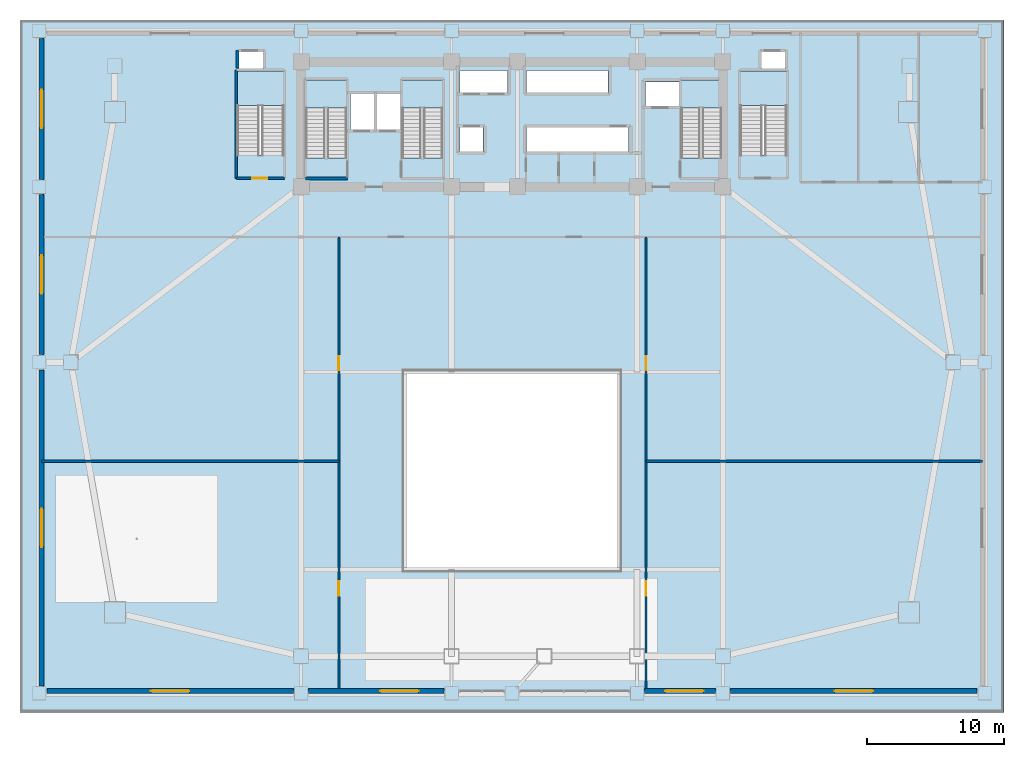
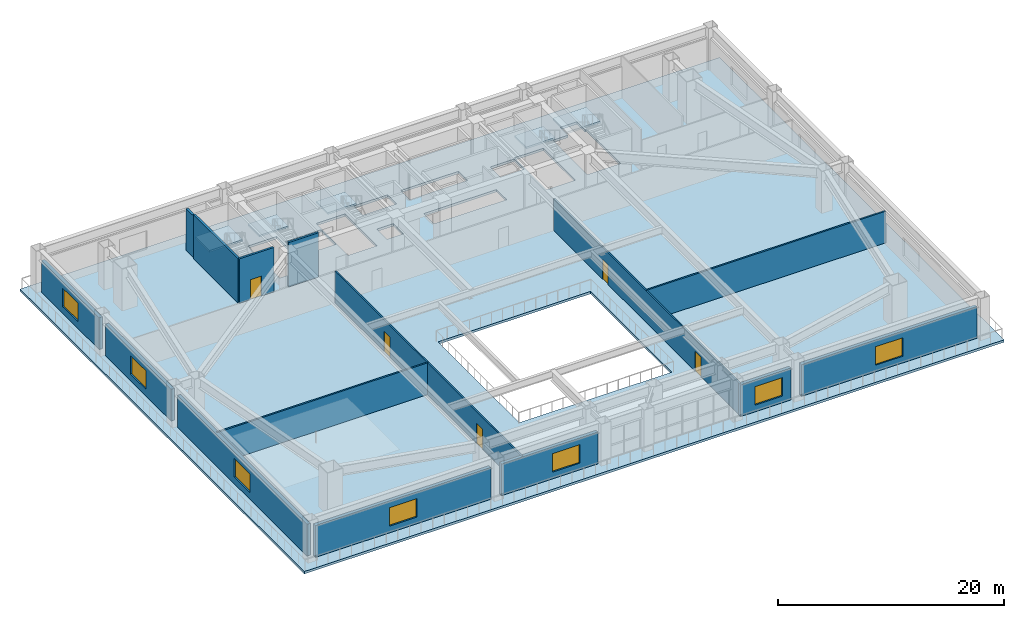
# One storey, part 6 of 14: 15 walls, 7 windows, 6 slabs, 5 doors, 12 openings, 5 elements without a shape of their own.
"""IFC4 building model written with IfcOpenShell, lengths in metres."""

from ifc_helpers import new_model, si_unit, direction, frame, frame_2d, origin, place, context, subcontext, project, spatial, polyline, rectangle, outline, extrude, source, transform, mapped, material, layer, layer_set, type_object, element, fill, aggregate, save


model = new_model("IFC4")

# Units and contexts
model_context = context("Model", 3, precision=1e-05, world=origin(), true_north=direction((0.0, 1.0)))
body_context = subcontext(model_context, "Body", "Model", "MODEL_VIEW")
ifc_project = project(units=[si_unit("LENGTHUNIT", "METRE"), si_unit("AREAUNIT", "SQUARE_METRE"), si_unit("VOLUMEUNIT", "CUBIC_METRE"), si_unit("PLANEANGLEUNIT", "RADIAN"), si_unit("MASSUNIT", "GRAM", prefix="KILO")], contexts=[model_context])

# Site, building, storey
site_placement = place(None, origin())
site = spatial("IfcSite", under=ifc_project, at=site_placement, CompositionType="ELEMENT")
building_placement = place(site_placement, origin())
building = spatial("IfcBuilding", under=site, at=building_placement, Name="Giltprow Tower", CompositionType="ELEMENT")
storey_placement = place(building_placement, frame((0.0, 0.0, 5.60009765625)))
storey = spatial("IfcBuildingStorey", under=building, at=storey_placement, Name="L02", CompositionType="ELEMENT", Elevation=5.60009765625)

# Slab
ifc_material_1 = material(Name="Concrete C40", Category="concrete")
ifc_layer_1 = layer(ifc_material_1, 0.260009765625, Name="Concrete C40")
ifc_layer_set_1 = layer_set([ifc_layer_1], Name="Concrete C40")
slab_type_1 = type_object("IfcSlabType", Name="SLB-POD-260", PredefinedType="FLOOR", material=ifc_layer_set_1)
slab_1_placement = place(storey_placement, frame((0.0, 0.0, -0.260009765625)))
element("IfcSlab", 1, at=slab_1_placement, inside=storey, type_object=slab_type_1, Name="L02 Structural Composite Floor Slab", PredefinedType="FLOOR", context=body_context, shape_type="SweptSolid", body=[
    extrude(outline(polyline([(-0.60009765625, 49.60009765625), (71.0, 49.60009765625), (71.0, -0.800048828125), (-0.60009765625, -0.800048828125), (-0.60009765625, 49.60009765625)]), holes=[polyline([(31.419921875, 41.800048828125), (31.419921875, 40.0), (33.10009765625, 40.0), (33.10009765625, 41.800048828125), (31.419921875, 41.800048828125)]), polyline([(23.159912109375, 39.570068359375), (23.159912109375, 45.25), (20.199951171875, 45.25), (20.199951171875, 39.570068359375), (23.159912109375, 39.570068359375)]), polyline([(30.159912109375, 39.570068359375), (30.159912109375, 45.25), (27.199951171875, 45.25), (27.199951171875, 39.570068359375), (30.159912109375, 39.570068359375)]), polyline([(18.60009765625, 39.77001953125), (18.60009765625, 45.89990234375), (17.070068359375, 45.89990234375), (17.070068359375, 47.300048828125), (15.35009765625, 47.300048828125), (15.35009765625, 45.89990234375), (15.199951171875, 45.89990234375), (15.199951171875, 39.77001953125), (18.60009765625, 39.77001953125)]), polyline([(25.169921875, 41.60009765625), (25.169921875, 44.199951171875), (23.449951171875, 44.199951171875), (23.449951171875, 41.60009765625), (25.169921875, 41.60009765625)]), polyline([(27.10009765625, 41.60009765625), (27.10009765625, 44.199951171875), (25.35009765625, 44.199951171875), (25.35009765625, 41.60009765625), (27.10009765625, 41.60009765625)]), polyline([(34.8798828125, 44.300048828125), (34.8798828125, 45.919921875), (31.419921875, 45.919921875), (31.419921875, 44.300048828125), (34.8798828125, 44.300048828125)]), polyline([(43.0, 9.60009765625), (43.0, 24.0), (27.39990234375, 24.0), (27.39990234375, 9.60009765625), (43.0, 9.60009765625)]), polyline([(43.659912109375, 40.0), (43.659912109375, 41.800048828125), (36.239990234375, 41.800048828125), (36.239990234375, 40.0), (43.659912109375, 40.0)]), polyline([(50.4599609375, 39.570068359375), (50.4599609375, 45.25), (47.5, 45.25), (47.5, 39.570068359375), (50.4599609375, 39.570068359375)]), polyline([(53.35009765625, 47.300048828125), (53.35009765625, 45.89990234375), (51.800048828125, 45.89990234375), (51.800048828125, 39.77001953125), (55.199951171875, 39.77001953125), (55.199951171875, 45.89990234375), (55.070068359375, 45.89990234375), (55.070068359375, 47.300048828125), (53.35009765625, 47.300048828125)]), polyline([(47.3798828125, 43.300048828125), (47.3798828125, 45.10009765625), (44.919921875, 45.10009765625), (44.919921875, 43.300048828125), (47.3798828125, 43.300048828125)]), polyline([(42.169921875, 44.300048828125), (42.169921875, 45.919921875), (36.239990234375, 45.919921875), (36.239990234375, 44.300048828125), (42.169921875, 44.300048828125)])]), origin(), (0.0, 0.0, 1.0), 0.260009765625),
])

# Stair, slab
stair_type_1 = type_object("IfcStairType", Name="STR-ST-1", PredefinedType="HALF_TURN_STAIR", material=ifc_material_1)
stair_1_placement = place(storey_placement, origin())
stair_1 = element("IfcStair", 2, at=stair_1_placement, inside=storey, type_object=stair_type_1, Name="L02 Core Exit Stair ST-1", PredefinedType="HALF_TURN_STAIR")
ifc_layer_2 = layer(ifc_material_1, 0.179931640625, Name="Concrete C40")
ifc_layer_set_2 = layer_set([ifc_layer_2], Name="Concrete C40")
slab_type_2 = type_object("IfcSlabType", Name="SLD-ST-1", PredefinedType="LANDING", material=ifc_layer_set_2)
slab_2_placement = place(storey_placement, frame((0.0, 0.0, 2.219970703125)))
slab_2 = element("IfcSlab", 3, at=slab_2_placement, type_object=slab_type_2, Name="ST-1 landing 1", PredefinedType="LANDING", context=body_context, shape_type="SweptSolid", body=[
    extrude(outline(polyline([(23.159912109375, 43.18994140625), (23.159912109375, 45.25), (20.199951171875, 45.25), (20.199951171875, 43.18994140625), (23.159912109375, 43.18994140625)])), origin(), (0.0, 0.0, 1.0), 0.179931640625),
])
aggregate(stair_1, [slab_2])

stair_type_2 = type_object("IfcStairType", Name="STR-ST-2", PredefinedType="HALF_TURN_STAIR", material=ifc_material_1)
stair_2_placement = place(storey_placement, origin())
stair_2 = element("IfcStair", 4, at=stair_2_placement, inside=storey, type_object=stair_type_2, Name="L02 Core Exit Stair ST-2", PredefinedType="HALF_TURN_STAIR")
ifc_layer_3 = layer(ifc_material_1, 0.18798828125, Name="Concrete C40")
ifc_layer_set_3 = layer_set([ifc_layer_3], Name="Concrete C40")
slab_type_3 = type_object("IfcSlabType", Name="SLD-ST-2", PredefinedType="LANDING", material=ifc_layer_set_3)
slab_3_placement = place(storey_placement, frame((0.0, 0.0, 2.2119140625)))
slab_3 = element("IfcSlab", 5, at=slab_3_placement, type_object=slab_type_3, Name="ST-2 landing 1", PredefinedType="LANDING", context=body_context, shape_type="SweptSolid", body=[
    extrude(outline(polyline([(30.159912109375, 43.18994140625), (30.159912109375, 45.25), (27.199951171875, 45.25), (27.199951171875, 43.18994140625), (30.159912109375, 43.18994140625)])), origin(), (0.0, 0.0, 1.0), 0.18798828125),
])
aggregate(stair_2, [slab_3])

stair_type_3 = type_object("IfcStairType", Name="STR-ST-3", PredefinedType="HALF_TURN_STAIR", material=ifc_material_1)
stair_3_placement = place(storey_placement, origin())
stair_3 = element("IfcStair", 6, at=stair_3_placement, inside=storey, type_object=stair_type_3, Name="L02 Core Exit Stair ST-3", PredefinedType="HALF_TURN_STAIR")
ifc_layer_4 = layer(ifc_material_1, 0.196044921875, Name="Concrete C40")
ifc_layer_set_4 = layer_set([ifc_layer_4], Name="Concrete C40")
slab_type_4 = type_object("IfcSlabType", Name="SLD-ST-3", PredefinedType="LANDING", material=ifc_layer_set_4)
slab_4_placement = place(storey_placement, frame((0.0, 0.0, 2.203857421875)))
slab_4 = element("IfcSlab", 7, at=slab_4_placement, type_object=slab_type_4, Name="ST-3 landing 1", PredefinedType="LANDING", context=body_context, shape_type="SweptSolid", body=[
    extrude(outline(polyline([(50.4599609375, 43.18994140625), (50.4599609375, 45.25), (47.5, 45.25), (47.5, 43.18994140625), (50.4599609375, 43.18994140625)])), origin(), (0.0, 0.0, 1.0), 0.196044921875),
])
aggregate(stair_3, [slab_4])

stair_type_4 = type_object("IfcStairType", Name="STR-ST-P1", PredefinedType="HALF_TURN_STAIR", material=ifc_material_1)
stair_4_placement = place(storey_placement, origin())
stair_4 = element("IfcStair", 8, at=stair_4_placement, inside=storey, type_object=stair_type_4, Name="L02 Podium Exit Stair ST-P1", PredefinedType="HALF_TURN_STAIR")
ifc_layer_5 = layer(ifc_material_1, 0.2041015625, Name="Concrete C40")
ifc_layer_set_5 = layer_set([ifc_layer_5], Name="Concrete C40")
slab_type_5 = type_object("IfcSlabType", Name="SLD-ST-P1", PredefinedType="LANDING", material=ifc_layer_set_5)
slab_5_placement = place(storey_placement, frame((0.0, 0.0, 2.19580078125)))
slab_5 = element("IfcSlab", 9, at=slab_5_placement, type_object=slab_type_5, Name="ST-P1 landing 1", PredefinedType="LANDING", context=body_context, shape_type="SweptSolid", body=[
    extrude(outline(polyline([(18.60009765625, 43.389892578125), (18.60009765625, 45.89990234375), (15.199951171875, 45.89990234375), (15.199951171875, 43.389892578125), (18.60009765625, 43.389892578125)])), origin(), (0.0, 0.0, 1.0), 0.2041015625),
])
aggregate(stair_4, [slab_5])

stair_type_5 = type_object("IfcStairType", Name="STR-ST-P2", PredefinedType="HALF_TURN_STAIR", material=ifc_material_1)
stair_5_placement = place(storey_placement, origin())
stair_5 = element("IfcStair", 10, at=stair_5_placement, inside=storey, type_object=stair_type_5, Name="L02 Podium Exit Stair ST-P2", PredefinedType="HALF_TURN_STAIR")
ifc_layer_6 = layer(ifc_material_1, 0.2119140625, Name="Concrete C40")
ifc_layer_set_6 = layer_set([ifc_layer_6], Name="Concrete C40")
slab_type_6 = type_object("IfcSlabType", Name="SLD-ST-P2", PredefinedType="LANDING", material=ifc_layer_set_6)
slab_6_placement = place(storey_placement, frame((0.0, 0.0, 2.18798828125)))
slab_6 = element("IfcSlab", 11, at=slab_6_placement, type_object=slab_type_6, Name="ST-P2 landing 1", PredefinedType="LANDING", context=body_context, shape_type="SweptSolid", body=[
    extrude(outline(polyline([(55.199951171875, 43.389892578125), (55.199951171875, 45.89990234375), (51.800048828125, 45.89990234375), (51.800048828125, 43.389892578125), (55.199951171875, 43.389892578125)])), origin(), (0.0, 0.0, 1.0), 0.2119140625),
])
aggregate(stair_5, [slab_6])

# Wall, opening, window
ifc_material_2 = material(Name="Precast concrete C40", Category="concrete")
ifc_layer_7 = layer(ifc_material_2, 0.360107421875, Name="Precast concrete C40")
ifc_layer_set_7 = layer_set([ifc_layer_7], Name="Precast concrete C40")
wall_type_1 = type_object("IfcWallType", Name="EW-POD-STONE-360", PredefinedType="SOLIDWALL", material=ifc_layer_set_7)
wall_1_placement = place(storey_placement, frame((1.35009765625, 0.780029296875, 0.0), z_axis=(0.0, 0.0, 1.0), x_axis=(1.0, 0.0, 0.0)))
wall_1 = element("IfcWall", 12, at=wall_1_placement, inside=storey, type_object=wall_type_1, Name="L02 South Podium Masonry Wall 1", PredefinedType="SOLIDWALL", context=body_context, shape_type="SweptSolid", body=[
    extrude(rectangle(XDim=17.949951171875, YDim=0.360107421875, at=frame_2d((8.97509765625, 0.0))), origin(), (0.0, 0.0, 1.0), 3.419921875),
])
opening_1_placement = place(wall_1_placement, frame((7.574951171875, 0.0, 0.719970703125)))
opening_1 = element("IfcOpeningElement", 13, at=opening_1_placement, cuts=wall_1, Name="Opening WN31", PredefinedType="OPENING", context=body_context, shape_type="SweptSolid", body=[
    extrude(rectangle(XDim=2.800048828125, YDim=2.0, at=frame_2d((1.39990234375, 1.0))), frame((0.0, 0.18994140625, 0.0), z_axis=(0.0, -1.0, 0.0), x_axis=(1.0, 0.0, 0.0)), (0.0, 0.0, 1.0), 0.380126953125),
])
ifc_material_3 = material(Name="Insulated glass", Category="glass")
window_type = type_object("IfcWindowType", Name="WN-POD-2800x2000", PartitioningType="SINGLE_PANEL", PredefinedType="WINDOW", material=ifc_material_3)
shared_shape_1 = source(origin(), body_context, "Body", "SweptSolid", [
    extrude(rectangle(XDim=2.800048828125, YDim=2.0, at=frame_2d((1.39990234375, 1.0))), frame((0.0, 0.030029296875, 0.0), z_axis=(0.0, -1.0, 0.0), x_axis=(1.0, 0.0, 0.0)), (0.0, 0.0, 1.0), 0.06005859375),
])
window_1_placement = place(opening_1_placement, origin())
window_1 = element("IfcWindow", 14, at=window_1_placement, inside=storey, type_object=window_type, Name="L02 Podium South Window 1", OverallHeight=2.0, OverallWidth=2.800048828125, PartitioningType="SINGLE_PANEL", PredefinedType="WINDOW", context=body_context, shape_type="MappedRepresentation", body=[
    mapped(shared_shape_1, transform((0.0, 0.0, 0.0), x_axis=(1.0, 0.0, 0.0), y_axis=(0.0, 1.0, 0.0), z_axis=(0.0, 0.0, 1.0), scale=1.0)),
])
fill(opening_1, window_1)

wall_2_placement = place(storey_placement, frame((20.39990234375, 0.780029296875, 0.0), z_axis=(0.0, 0.0, 1.0), x_axis=(1.0, 0.0, 0.0)))
wall_2 = element("IfcWall", 15, at=wall_2_placement, inside=storey, type_object=wall_type_1, Name="L02 South Podium Masonry Wall 2", PredefinedType="SOLIDWALL", context=body_context, shape_type="SweptSolid", body=[
    extrude(rectangle(XDim=9.85009765625, YDim=0.360107421875, at=frame_2d((4.925048828125, 0.0))), origin(), (0.0, 0.0, 1.0), 3.419921875),
])
opening_2_placement = place(wall_2_placement, frame((5.199951171875, 0.0, 0.719970703125)))
opening_2 = element("IfcOpeningElement", 16, at=opening_2_placement, cuts=wall_2, Name="Opening WN31", PredefinedType="OPENING", context=body_context, shape_type="SweptSolid", body=[
    extrude(rectangle(XDim=2.800048828125, YDim=2.0, at=frame_2d((1.39990234375, 1.0))), frame((0.0, 0.18994140625, 0.0), z_axis=(0.0, -1.0, 0.0), x_axis=(1.0, 0.0, 0.0)), (0.0, 0.0, 1.0), 0.380126953125),
])
window_2_placement = place(opening_2_placement, origin())
window_2 = element("IfcWindow", 17, at=window_2_placement, inside=storey, type_object=window_type, Name="L02 Podium South Window 2", OverallHeight=2.0, OverallWidth=2.800048828125, PartitioningType="SINGLE_PANEL", PredefinedType="WINDOW", context=body_context, shape_type="MappedRepresentation", body=[
    mapped(shared_shape_1, transform((0.0, 0.0, 0.0), x_axis=(1.0, 0.0, 0.0), y_axis=(0.0, 1.0, 0.0), z_axis=(0.0, 0.0, 1.0), scale=1.0)),
])
fill(opening_2, window_2)

wall_3_placement = place(storey_placement, frame((44.85009765625, 0.780029296875, 0.0), z_axis=(0.0, 0.0, 1.0), x_axis=(1.0, 0.0, 0.0)))
wall_3 = element("IfcWall", 18, at=wall_3_placement, inside=storey, type_object=wall_type_1, Name="L02 South Podium Masonry Wall 5", PredefinedType="SOLIDWALL", context=body_context, shape_type="SweptSolid", body=[
    extrude(rectangle(XDim=5.14990234375, YDim=0.360107421875, at=frame_2d((2.574951171875, 0.0))), origin(), (0.0, 0.0, 1.0), 3.419921875),
])
opening_3_placement = place(wall_3_placement, frame((1.5, 0.0, 0.719970703125)))
opening_3 = element("IfcOpeningElement", 19, at=opening_3_placement, cuts=wall_3, Name="Opening WN31", PredefinedType="OPENING", context=body_context, shape_type="SweptSolid", body=[
    extrude(rectangle(XDim=2.800048828125, YDim=2.0, at=frame_2d((1.39990234375, 1.0))), frame((0.0, 0.18994140625, 0.0), z_axis=(0.0, -1.0, 0.0), x_axis=(1.0, 0.0, 0.0)), (0.0, 0.0, 1.0), 0.380126953125),
])
window_3_placement = place(opening_3_placement, origin())
window_3 = element("IfcWindow", 20, at=window_3_placement, inside=storey, type_object=window_type, Name="L02 Podium South Window 5", OverallHeight=2.0, OverallWidth=2.800048828125, PartitioningType="SINGLE_PANEL", PredefinedType="WINDOW", context=body_context, shape_type="MappedRepresentation", body=[
    mapped(shared_shape_1, transform((0.0, 0.0, 0.0), x_axis=(1.0, 0.0, 0.0), y_axis=(0.0, 1.0, 0.0), z_axis=(0.0, 0.0, 1.0), scale=1.0)),
])
fill(opening_3, window_3)

wall_4_placement = place(storey_placement, frame((51.10009765625, 0.780029296875, 0.0), z_axis=(0.0, 0.0, 1.0), x_axis=(1.0, 0.0, 0.0)))
wall_4 = element("IfcWall", 21, at=wall_4_placement, inside=storey, type_object=wall_type_1, Name="L02 South Podium Masonry Wall 6", PredefinedType="SOLIDWALL", context=body_context, shape_type="SweptSolid", body=[
    extrude(rectangle(XDim=17.949951171875, YDim=0.360107421875, at=frame_2d((8.97509765625, 0.0))), origin(), (0.0, 0.0, 1.0), 3.419921875),
])
opening_4_placement = place(wall_4_placement, frame((7.574951171875, 0.0, 0.719970703125)))
opening_4 = element("IfcOpeningElement", 22, at=opening_4_placement, cuts=wall_4, Name="Opening WN31", PredefinedType="OPENING", context=body_context, shape_type="SweptSolid", body=[
    extrude(rectangle(XDim=2.800048828125, YDim=2.0, at=frame_2d((1.39990234375, 1.0))), frame((0.0, 0.18994140625, 0.0), z_axis=(0.0, -1.0, 0.0), x_axis=(1.0, 0.0, 0.0)), (0.0, 0.0, 1.0), 0.380126953125),
])
window_4_placement = place(opening_4_placement, origin())
window_4 = element("IfcWindow", 23, at=window_4_placement, inside=storey, type_object=window_type, Name="L02 Podium South Window 6", OverallHeight=2.0, OverallWidth=2.800048828125, PartitioningType="SINGLE_PANEL", PredefinedType="WINDOW", context=body_context, shape_type="MappedRepresentation", body=[
    mapped(shared_shape_1, transform((0.0, 0.0, 0.0), x_axis=(1.0, 0.0, 0.0), y_axis=(0.0, 1.0, 0.0), z_axis=(0.0, 0.0, 1.0), scale=1.0)),
])
fill(opening_4, window_4)

wall_5_placement = place(storey_placement, frame((0.97998046875, 1.14990234375, 0.0), z_axis=(0.0, 0.0, 1.0), x_axis=(0.0, 1.0, 0.0)))
wall_5 = element("IfcWall", 24, at=wall_5_placement, inside=storey, type_object=wall_type_1, Name="L02 W Podium Masonry Wall 1", PredefinedType="SOLIDWALL", context=body_context, shape_type="SweptSolid", body=[
    extrude(rectangle(XDim=23.0, YDim=0.360107421875, at=frame_2d((11.5, 0.0))), origin(), (0.0, 0.0, 1.0), 3.419921875),
])
opening_5_placement = place(wall_5_placement, frame((10.10009765625, 0.0, 0.719970703125)))
opening_5 = element("IfcOpeningElement", 25, at=opening_5_placement, cuts=wall_5, Name="Opening WN31", PredefinedType="OPENING", context=body_context, shape_type="SweptSolid", body=[
    extrude(rectangle(XDim=2.800048828125, YDim=2.0, at=frame_2d((1.39990234375, 1.0))), frame((0.0, 0.18994140625, 0.0), z_axis=(0.0, -1.0, 0.0), x_axis=(1.0, 0.0, 0.0)), (0.0, 0.0, 1.0), 0.380126953125),
])
window_5_placement = place(opening_5_placement, origin())
window_5 = element("IfcWindow", 26, at=window_5_placement, inside=storey, type_object=window_type, Name="L02 Podium W Window 1", OverallHeight=2.0, OverallWidth=2.800048828125, PartitioningType="SINGLE_PANEL", PredefinedType="WINDOW", context=body_context, shape_type="MappedRepresentation", body=[
    mapped(shared_shape_1, transform((0.0, 0.0, 0.0), x_axis=(1.0, 0.0, 0.0), y_axis=(0.0, 1.0, 0.0), z_axis=(0.0, 0.0, 1.0), scale=1.0)),
])
fill(opening_5, window_5)

wall_6_placement = place(storey_placement, frame((0.97998046875, 25.25, 0.0), z_axis=(0.0, 0.0, 1.0), x_axis=(0.0, 1.0, 0.0)))
wall_6 = element("IfcWall", 27, at=wall_6_placement, inside=storey, type_object=wall_type_1, Name="L02 W Podium Masonry Wall 2", PredefinedType="SOLIDWALL", context=body_context, shape_type="SweptSolid", body=[
    extrude(rectangle(XDim=11.64990234375, YDim=0.360107421875, at=frame_2d((5.824951171875, 0.0))), origin(), (0.0, 0.0, 1.0), 3.419921875),
])
opening_6_placement = place(wall_6_placement, frame((4.425048828125, 0.0, 0.719970703125)))
opening_6 = element("IfcOpeningElement", 28, at=opening_6_placement, cuts=wall_6, Name="Opening WN31", PredefinedType="OPENING", context=body_context, shape_type="SweptSolid", body=[
    extrude(rectangle(XDim=2.800048828125, YDim=2.0, at=frame_2d((1.39990234375, 1.0))), frame((0.0, 0.18994140625, 0.0), z_axis=(0.0, -1.0, 0.0), x_axis=(1.0, 0.0, 0.0)), (0.0, 0.0, 1.0), 0.380126953125),
])
window_6_placement = place(opening_6_placement, origin())
window_6 = element("IfcWindow", 29, at=window_6_placement, inside=storey, type_object=window_type, Name="L02 Podium W Window 2", OverallHeight=2.0, OverallWidth=2.800048828125, PartitioningType="SINGLE_PANEL", PredefinedType="WINDOW", context=body_context, shape_type="MappedRepresentation", body=[
    mapped(shared_shape_1, transform((0.0, 0.0, 0.0), x_axis=(1.0, 0.0, 0.0), y_axis=(0.0, 1.0, 0.0), z_axis=(0.0, 0.0, 1.0), scale=1.0)),
])
fill(opening_6, window_6)

wall_7_placement = place(storey_placement, frame((0.97998046875, 38.0, 0.0), z_axis=(0.0, 0.0, 1.0), x_axis=(0.0, 1.0, 0.0)))
wall_7 = element("IfcWall", 30, at=wall_7_placement, inside=storey, type_object=wall_type_1, Name="L02 W Podium Masonry Wall 3", PredefinedType="SOLIDWALL", context=body_context, shape_type="SweptSolid", body=[
    extrude(rectangle(XDim=10.25, YDim=0.360107421875, at=frame_2d((5.125, 0.0))), origin(), (0.0, 0.0, 1.0), 3.419921875),
])
opening_7_placement = place(wall_7_placement, frame((3.72509765625, 0.0, 0.719970703125)))
opening_7 = element("IfcOpeningElement", 31, at=opening_7_placement, cuts=wall_7, Name="Opening WN31", PredefinedType="OPENING", context=body_context, shape_type="SweptSolid", body=[
    extrude(rectangle(XDim=2.800048828125, YDim=2.0, at=frame_2d((1.39990234375, 1.0))), frame((0.0, 0.18994140625, 0.0), z_axis=(0.0, -1.0, 0.0), x_axis=(1.0, 0.0, 0.0)), (0.0, 0.0, 1.0), 0.380126953125),
])
window_7_placement = place(opening_7_placement, origin())
window_7 = element("IfcWindow", 32, at=window_7_placement, inside=storey, type_object=window_type, Name="L02 Podium W Window 3", OverallHeight=2.0, OverallWidth=2.800048828125, PartitioningType="SINGLE_PANEL", PredefinedType="WINDOW", context=body_context, shape_type="MappedRepresentation", body=[
    mapped(shared_shape_1, transform((0.0, 0.0, 0.0), x_axis=(1.0, 0.0, 0.0), y_axis=(0.0, 1.0, 0.0), z_axis=(0.0, 0.0, 1.0), scale=1.0)),
])
fill(opening_7, window_7)

# Wall, openings, doors
ifc_material_4 = material(Name="Gypsum stud partition", Category="gypsum")
ifc_layer_8 = layer(ifc_material_4, 0.14990234375, Name="Gypsum stud partition")
ifc_layer_set_8 = layer_set([ifc_layer_8], Name="Gypsum stud partition")
wall_type_2 = type_object("IfcWallType", Name="IW-CORR-150", PredefinedType="PARTITIONING", material=ifc_layer_set_8)
wall_8_placement = place(storey_placement, frame((22.60009765625, 0.780029296875, 0.0), z_axis=(0.0, 0.0, 1.0), x_axis=(0.0, 1.0, 0.0)))
wall_8 = element("IfcWall", 33, at=wall_8_placement, inside=storey, type_object=wall_type_2, Name="L02 West Concourse Demising Wall", PredefinedType="PARTITIONING", context=body_context, shape_type="SweptSolid", body=[
    extrude(rectangle(XDim=33.02001953125, YDim=0.14990234375, at=frame_2d((16.510009765625, 0.0))), origin(), (0.0, 0.0, 1.0), 3.4248046875),
])
opening_8_placement = place(wall_8_placement, frame((6.919921875, 0.0, 0.0)))
opening_8 = element("IfcOpeningElement", 34, at=opening_8_placement, cuts=wall_8, Name="Opening ID31", PredefinedType="OPENING", context=body_context, shape_type="SweptSolid", body=[
    extrude(rectangle(XDim=1.050048828125, YDim=2.14990234375, at=frame_2d((0.52490234375, 1.074951171875))), frame((0.0, 0.0849609375, 0.0), z_axis=(0.0, -1.0, 0.0), x_axis=(1.0, 0.0, 0.0)), (0.0, 0.0, 1.0), 0.169921875),
])
opening_9_placement = place(wall_8_placement, frame((23.320068359375, 0.0, 0.0)))
opening_9 = element("IfcOpeningElement", 35, at=opening_9_placement, cuts=wall_8, Name="Opening ID31", PredefinedType="OPENING", context=body_context, shape_type="SweptSolid", body=[
    extrude(rectangle(XDim=1.050048828125, YDim=2.14990234375, at=frame_2d((0.52490234375, 1.074951171875))), frame((0.0, 0.0849609375, 0.0), z_axis=(0.0, -1.0, 0.0), x_axis=(1.0, 0.0, 0.0)), (0.0, 0.0, 1.0), 0.169921875),
])
ifc_material_5 = material(Name="Engineered timber", Category="wood")
door_type_1 = type_object("IfcDoorType", Name="DR-SUITE-1050", OperationType="SINGLE_SWING_LEFT", PredefinedType="DOOR", material=ifc_material_5)
shared_shape_2 = source(origin(), body_context, "Body", "SweptSolid", [
    extrude(rectangle(XDim=1.050048828125, YDim=2.14990234375, at=frame_2d((0.52490234375, 1.074951171875))), frame((0.0, 0.02490234375, 0.0), z_axis=(0.0, -1.0, 0.0), x_axis=(1.0, 0.0, 0.0)), (0.0, 0.0, 1.0), 0.050048828125),
])
door_1_placement = place(opening_8_placement, origin())
door_1 = element("IfcDoor", 36, at=door_1_placement, inside=storey, type_object=door_type_1, Name="L02 Riverview Fine Dining Restaurant Door", OperationType="SINGLE_SWING_LEFT", OverallHeight=2.14990234375, OverallWidth=1.050048828125, PredefinedType="DOOR", context=body_context, shape_type="MappedRepresentation", body=[
    mapped(shared_shape_2, transform((0.0, 0.0, 0.0), x_axis=(1.0, 0.0, 0.0), y_axis=(0.0, 1.0, 0.0), z_axis=(0.0, 0.0, 1.0), scale=1.0)),
])
fill(opening_8, door_1)
door_2_placement = place(opening_9_placement, origin())
door_2 = element("IfcDoor", 37, at=door_2_placement, inside=storey, type_object=door_type_1, Name="L02 Harbour Tea Lounge and Cafe Door", OperationType="SINGLE_SWING_RIGHT", OverallHeight=2.14990234375, OverallWidth=1.050048828125, PredefinedType="DOOR", context=body_context, shape_type="MappedRepresentation", body=[
    mapped(shared_shape_2, transform((0.0, 0.0, 0.0), x_axis=(1.0, 0.0, 0.0), y_axis=(0.0, 1.0, 0.0), z_axis=(0.0, 0.0, 1.0), scale=1.0)),
])
fill(opening_9, door_2)

wall_9_placement = place(storey_placement, frame((44.949951171875, 0.780029296875, 0.0), z_axis=(0.0, 0.0, 1.0), x_axis=(0.0, 1.0, 0.0)))
wall_9 = element("IfcWall", 38, at=wall_9_placement, inside=storey, type_object=wall_type_2, Name="L02 East Concourse Demising Wall", PredefinedType="PARTITIONING", context=body_context, shape_type="SweptSolid", body=[
    extrude(rectangle(XDim=33.02001953125, YDim=0.14990234375, at=frame_2d((16.510009765625, 0.0))), origin(), (0.0, 0.0, 1.0), 3.4248046875),
])
opening_10_placement = place(wall_9_placement, frame((6.919921875, 0.0, 0.0)))
opening_10 = element("IfcOpeningElement", 39, at=opening_10_placement, cuts=wall_9, Name="Opening ID31", PredefinedType="OPENING", context=body_context, shape_type="SweptSolid", body=[
    extrude(rectangle(XDim=1.050048828125, YDim=2.14990234375, at=frame_2d((0.52490234375, 1.074951171875))), frame((0.0, 0.0849609375, 0.0), z_axis=(0.0, -1.0, 0.0), x_axis=(1.0, 0.0, 0.0)), (0.0, 0.0, 1.0), 0.169921875),
])
opening_11_placement = place(wall_9_placement, frame((23.320068359375, 0.0, 0.0)))
opening_11 = element("IfcOpeningElement", 40, at=opening_11_placement, cuts=wall_9, Name="Opening ID31", PredefinedType="OPENING", context=body_context, shape_type="SweptSolid", body=[
    extrude(rectangle(XDim=1.050048828125, YDim=2.14990234375, at=frame_2d((0.52490234375, 1.074951171875))), frame((0.0, 0.0849609375, 0.0), z_axis=(0.0, -1.0, 0.0), x_axis=(1.0, 0.0, 0.0)), (0.0, 0.0, 1.0), 0.169921875),
])
door_3_placement = place(opening_10_placement, origin())
door_3 = element("IfcDoor", 41, at=door_3_placement, inside=storey, type_object=door_type_1, Name="L02 Waterfront Bistro and Bakery Door", OperationType="SINGLE_SWING_LEFT", OverallHeight=2.14990234375, OverallWidth=1.050048828125, PredefinedType="DOOR", context=body_context, shape_type="MappedRepresentation", body=[
    mapped(shared_shape_2, transform((0.0, 0.0, 0.0), x_axis=(1.0, 0.0, 0.0), y_axis=(0.0, 1.0, 0.0), z_axis=(0.0, 0.0, 1.0), scale=1.0)),
])
fill(opening_10, door_3)
door_4_placement = place(opening_11_placement, origin())
door_4 = element("IfcDoor", 42, at=door_4_placement, inside=storey, type_object=door_type_1, Name="L02 Culinary Kitchen and Prep Suite Door", OperationType="SINGLE_SWING_RIGHT", OverallHeight=2.14990234375, OverallWidth=1.050048828125, PredefinedType="DOOR", context=body_context, shape_type="MappedRepresentation", body=[
    mapped(shared_shape_2, transform((0.0, 0.0, 0.0), x_axis=(1.0, 0.0, 0.0), y_axis=(0.0, 1.0, 0.0), z_axis=(0.0, 0.0, 1.0), scale=1.0)),
])
fill(opening_11, door_4)

# Walls
ifc_layer_9 = layer(ifc_material_4, 0.159912109375, Name="Gypsum stud partition")
ifc_layer_set_9 = layer_set([ifc_layer_9], Name="Gypsum stud partition")
wall_type_3 = type_object("IfcWallType", Name="IW-DEMISE-160", PredefinedType="PARTITIONING", material=ifc_layer_set_9)
wall_10_placement = place(storey_placement, frame((0.97998046875, 17.5, 0.0), z_axis=(0.0, 0.0, 1.0), x_axis=(1.0, 0.0, 0.0)))
element("IfcWall", 43, at=wall_10_placement, inside=storey, type_object=wall_type_3, Name="L02 West Podium Hall Divider", PredefinedType="PARTITIONING", context=body_context, shape_type="SweptSolid", body=[
    extrude(rectangle(XDim=21.6201171875, YDim=0.159912109375, at=frame_2d((10.81005859375, 0.0))), origin(), (0.0, 0.0, 1.0), 3.4248046875),
])
wall_11_placement = place(storey_placement, frame((44.949951171875, 17.5, 0.0), z_axis=(0.0, 0.0, 1.0), x_axis=(1.0, 0.0, 0.0)))
element("IfcWall", 44, at=wall_11_placement, inside=storey, type_object=wall_type_3, Name="L02 East Podium Hall Divider", PredefinedType="PARTITIONING", context=body_context, shape_type="SweptSolid", body=[
    extrude(rectangle(XDim=24.469970703125, YDim=0.159912109375, at=frame_2d((12.23486328125, 0.0))), origin(), (0.0, 0.0, 1.0), 3.4248046875),
])
ifc_layer_10 = layer(ifc_material_1, 0.219970703125, Name="Concrete C40")
ifc_layer_set_10 = layer_set([ifc_layer_10], Name="Concrete C40")
wall_type_4 = type_object("IfcWallType", Name="IW-SHAFT-220", PredefinedType="SOLIDWALL", material=ifc_layer_set_10)
wall_12_placement = place(storey_placement, frame((15.22998046875, 46.090087890625, 0.0), z_axis=(0.0, 0.0, 1.0), x_axis=(0.0, 1.0, 0.0)))
element("IfcWall", 45, at=wall_12_placement, inside=storey, type_object=wall_type_4, Name="L02 PL-P1 West Shaft Wall", PredefinedType="SOLIDWALL", context=body_context, shape_type="SweptSolid", body=[
    extrude(rectangle(XDim=1.289794921875, YDim=0.219970703125, at=frame_2d((0.64501953125, 0.0))), origin(), (0.0, 0.0, 1.0), 4.539794921875),
])
ifc_layer_11 = layer(ifc_material_1, 0.199951171875, Name="Concrete C40")
ifc_layer_set_11 = layer_set([ifc_layer_11], Name="Concrete C40")
wall_type_5 = type_object("IfcWallType", Name="IW-STAIR-200", PredefinedType="SOLIDWALL", material=ifc_layer_set_11)
wall_13_placement = place(storey_placement, frame((20.169921875, 38.070068359375, 0.0), z_axis=(0.0, 0.0, 1.0), x_axis=(1.0, 0.0, 0.0)))
element("IfcWall", 46, at=wall_13_placement, inside=storey, type_object=wall_type_5, Name="L02 Stair ST-1 South Bearing Wall", PredefinedType="SOLIDWALL", context=body_context, shape_type="SweptSolid", body=[
    extrude(rectangle(XDim=3.050048828125, YDim=0.199951171875, at=frame_2d((1.52490234375, 0.0))), origin(), (0.0, 0.0, 1.0), 4.7998046875),
])
wall_14_placement = place(storey_placement, frame((15.139892578125, 38.080078125, 0.0), z_axis=(0.0, 0.0, 1.0), x_axis=(0.0, 1.0, 0.0)))
element("IfcWall", 47, at=wall_14_placement, inside=storey, type_object=wall_type_5, Name="L02 Podium Stair ST-P1 West Bearing Wall", PredefinedType="SOLIDWALL", context=body_context, shape_type="SweptSolid", body=[
    extrude(rectangle(XDim=7.89990234375, YDim=0.199951171875, at=frame_2d((3.949951171875, 0.0))), origin(), (0.0, 0.0, 1.0), 4.7998046875),
])

# Wall, opening, door
wall_15_placement = place(storey_placement, frame((15.139892578125, 38.080078125, 0.0), z_axis=(0.0, 0.0, 1.0), x_axis=(1.0, 0.0, 0.0)))
wall_15 = element("IfcWall", 48, at=wall_15_placement, inside=storey, type_object=wall_type_5, Name="L02 Podium Stair ST-P1 South Bearing Wall", PredefinedType="SOLIDWALL", context=body_context, shape_type="SweptSolid", body=[
    extrude(rectangle(XDim=3.52001953125, YDim=0.199951171875, at=frame_2d((1.760009765625, 0.0))), origin(), (0.0, 0.0, 1.0), 4.7998046875),
])
opening_12_placement = place(wall_15_placement, frame((1.14990234375, 0.0, 0.0)))
opening_12 = element("IfcOpeningElement", 49, at=opening_12_placement, cuts=wall_15, Name="Opening ID33", PredefinedType="OPENING", context=body_context, shape_type="SweptSolid", body=[
    extrude(rectangle(XDim=1.10009765625, YDim=2.14990234375, at=frame_2d((0.550048828125, 1.074951171875))), frame((0.0, 0.10986328125, 0.0), z_axis=(0.0, -1.0, 0.0), x_axis=(1.0, 0.0, 0.0)), (0.0, 0.0, 1.0), 0.219970703125),
])
ifc_material_6 = material(Name="Steel fire leaf", Category="steel")
door_type_2 = type_object("IfcDoorType", Name="DR-STAIR-1100", OperationType="SINGLE_SWING_LEFT", PredefinedType="DOOR", material=ifc_material_6)
shared_shape_3 = source(origin(), body_context, "Body", "SweptSolid", [
    extrude(rectangle(XDim=1.10009765625, YDim=2.14990234375, at=frame_2d((0.550048828125, 1.074951171875))), frame((0.0, 0.02490234375, 0.0), z_axis=(0.0, -1.0, 0.0), x_axis=(1.0, 0.0, 0.0)), (0.0, 0.0, 1.0), 0.050048828125),
])
door_5_placement = place(opening_12_placement, origin())
door_5 = element("IfcDoor", 50, at=door_5_placement, inside=storey, type_object=door_type_2, Name="L02 Podium Stair ST-P1 Door", OperationType="SINGLE_SWING_RIGHT", OverallHeight=2.14990234375, OverallWidth=1.10009765625, PredefinedType="DOOR", context=body_context, shape_type="MappedRepresentation", body=[
    mapped(shared_shape_3, transform((0.0, 0.0, 0.0), x_axis=(1.0, 0.0, 0.0), y_axis=(0.0, 1.0, 0.0), z_axis=(0.0, 0.0, 1.0), scale=1.0)),
])
fill(opening_12, door_5)

save(model, "model.ifc")
